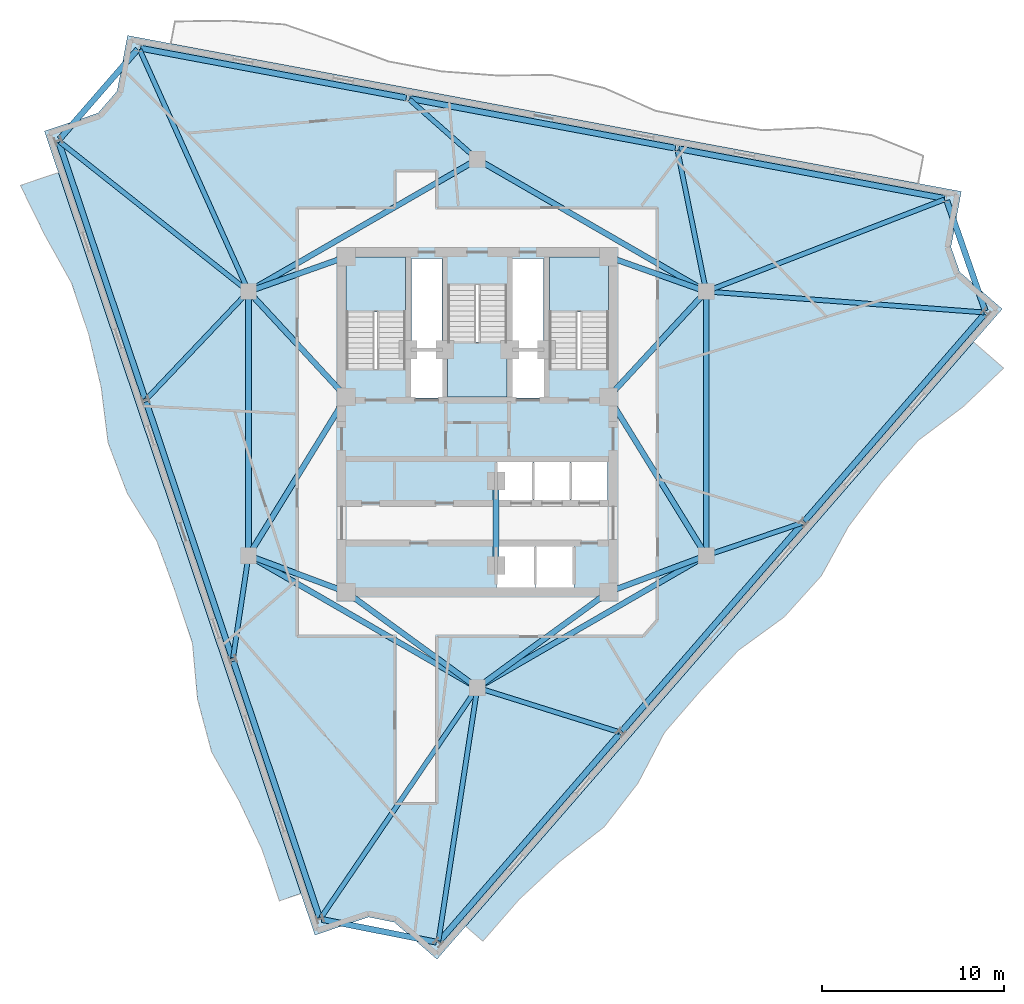
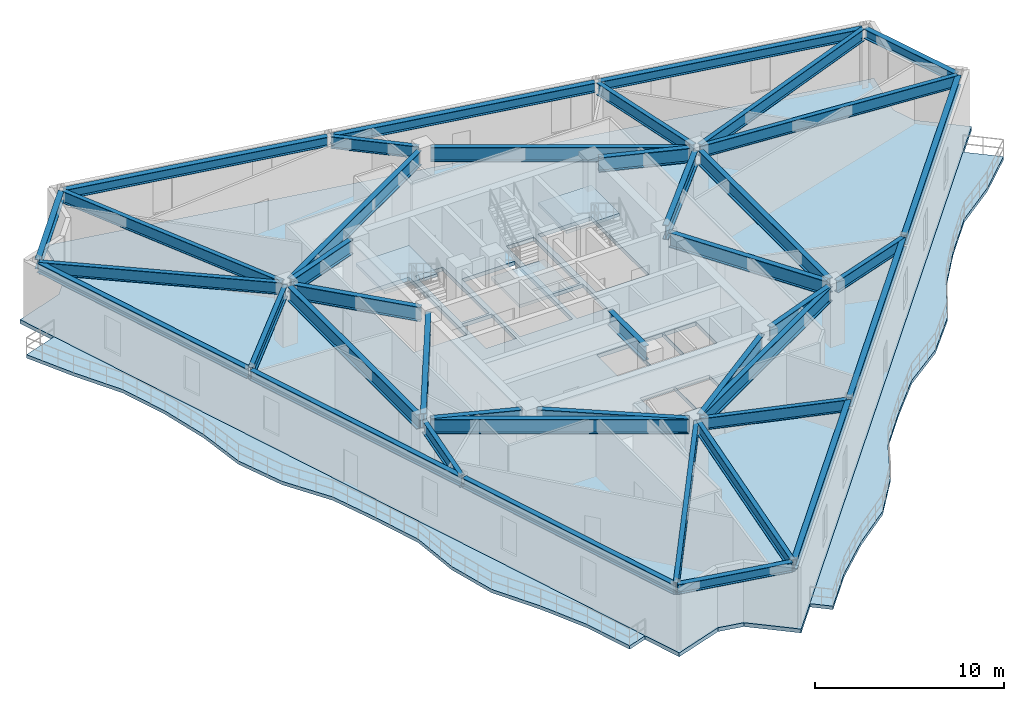
# One storey, part 3 of 11: 41 beams, 6 slabs, 3 elements without a shape of their own.
"""IFC4 building model written with IfcOpenShell, lengths in metres."""

from ifc_helpers import new_model, si_unit, direction, frame, origin, origin_2d, place, context, subcontext, project, spatial, polyline, i_section, outline, extrude, material, layer, layer_set, material_profile, profile_set, type_object, element, aggregate, save


model = new_model("IFC4")

# Units and contexts
model_context = context("Model", 3, precision=1e-05, world=origin(), true_north=direction((0.0, 1.0)))
body_context = subcontext(model_context, "Body", "Model", "MODEL_VIEW")
ifc_project = project(units=[si_unit("LENGTHUNIT", "METRE"), si_unit("AREAUNIT", "SQUARE_METRE"), si_unit("VOLUMEUNIT", "CUBIC_METRE"), si_unit("PLANEANGLEUNIT", "RADIAN"), si_unit("MASSUNIT", "GRAM", prefix="KILO")], contexts=[model_context])

# Site, building, storey
site_placement = place(None, origin())
site = spatial("IfcSite", under=ifc_project, at=site_placement, CompositionType="ELEMENT")
building_placement = place(site_placement, origin())
building = spatial("IfcBuilding", under=site, at=building_placement, Name="Apsidion Concourse Tower", CompositionType="ELEMENT")
storey_placement = place(building_placement, frame((0.0, 0.0, 281.89990234375)))
storey = spatial("IfcBuildingStorey", under=building, at=storey_placement, Name="L66", CompositionType="ELEMENT", Elevation=281.89990234375)

# Beams
ifc_material_1 = material(Name="Structural steel ASTM A992 Grade 50", Category="steel")
ifc_material_profile_1 = material_profile(ifc_material_1, i_section(OverallWidth=0.31005859375, OverallDepth=0.931884765625, WebThickness=0.02099609375, FlangeThickness=0.034423828125, at=origin_2d()), Name="W36X210")
ifc_profile_set_1 = profile_set([ifc_material_profile_1], Name="Structural steel ASTM A992 Grade 50")
beam_type_1 = type_object("IfcBeamType", Name="BM-G-W36", PredefinedType="USERDEFINED", material=ifc_profile_set_1)
beam_1_placement = place(storey_placement, frame((-12.185302734375, -7.389892578125, 3.384033203125), z_axis=(0.936913021145, -0.349562570664, 0.0), x_axis=(0.349562570664, 0.936913021145, 0.0)))
element("IfcBeam", 1, at=beam_1_placement, inside=storey, type_object=beam_type_1, Name="L66 Core Coupling Girder IC1-SC1", ObjectType="GIRDER", PredefinedType="USERDEFINED", context=body_context, shape_type="SweptSolid", body=[
    extrude(i_section(OverallWidth=0.31005859375, OverallDepth=0.931884765625, WebThickness=0.02099609375, FlangeThickness=0.034423828125, at=origin_2d()), origin(), (0.0, 0.0, 1.0), 4.921142578125),
])
beam_2_placement = place(storey_placement, frame((-12.35009765625, -6.909423828125, 3.384033203125), z_axis=(0.524524009763, 0.851395656074, 0.0), x_axis=(-0.851395656074, 0.524524009763, 0.0)))
element("IfcBeam", 2, at=beam_2_placement, inside=storey, type_object=beam_type_1, Name="L66 Core Coupling Girder IC1-SC6", ObjectType="GIRDER", PredefinedType="USERDEFINED", context=body_context, shape_type="SweptSolid", body=[
    extrude(i_section(OverallWidth=0.31005859375, OverallDepth=0.931884765625, WebThickness=0.02099609375, FlangeThickness=0.034423828125, at=origin_2d()), origin(), (0.0, 0.0, 1.0), 9.41845703125),
])
beam_3_placement = place(storey_placement, frame((12.185302734375, -7.389892578125, 3.384033203125), z_axis=(-0.936913021145, -0.349562570664, 0.0), x_axis=(0.349562570664, -0.936913021145, 0.0)))
element("IfcBeam", 3, at=beam_3_placement, inside=storey, type_object=beam_type_1, Name="L66 Core Coupling Girder IC2-SC2", ObjectType="GIRDER", PredefinedType="USERDEFINED", context=body_context, shape_type="SweptSolid", body=[
    extrude(i_section(OverallWidth=0.31005859375, OverallDepth=0.931884765625, WebThickness=0.02099609375, FlangeThickness=0.034423828125, at=origin_2d()), origin(), (0.0, 0.0, 1.0), 4.921142578125),
])
beam_4_placement = place(storey_placement, frame((12.35009765625, -6.909423828125, 3.384033203125), z_axis=(-0.524524009763, 0.851395656074, 0.0), x_axis=(-0.851395656074, -0.524524009763, 0.0)))
element("IfcBeam", 4, at=beam_4_placement, inside=storey, type_object=beam_type_1, Name="L66 Core Coupling Girder IC2-SC3", ObjectType="GIRDER", PredefinedType="USERDEFINED", context=body_context, shape_type="SweptSolid", body=[
    extrude(i_section(OverallWidth=0.31005859375, OverallDepth=0.931884765625, WebThickness=0.02099609375, FlangeThickness=0.034423828125, at=origin_2d()), origin(), (0.0, 0.0, 1.0), 9.41845703125),
])
beam_5_placement = place(storey_placement, frame((12.28857421875, 6.956298828125, 3.384033203125), z_axis=(-0.678712876106, -0.73440372535, 0.0), x_axis=(0.73440372535, -0.678712876106, 0.0)))
element("IfcBeam", 5, at=beam_5_placement, inside=storey, type_object=beam_type_1, Name="L66 Core Coupling Girder IC3-SC3", ObjectType="GIRDER", PredefinedType="USERDEFINED", context=body_context, shape_type="SweptSolid", body=[
    extrude(i_section(OverallWidth=0.31005859375, OverallDepth=0.931884765625, WebThickness=0.02099609375, FlangeThickness=0.034423828125, at=origin_2d()), origin(), (0.0, 0.0, 1.0), 7.097412109375),
])
beam_6_placement = place(storey_placement, frame((12.18310546875, 7.383544921875, 3.384033203125), z_axis=(-0.942533844539, 0.334110688094, 0.0), x_axis=(-0.334110688094, -0.942533844539, 0.0)))
element("IfcBeam", 6, at=beam_6_placement, inside=storey, type_object=beam_type_1, Name="L66 Core Coupling Girder IC3-SC4", ObjectType="GIRDER", PredefinedType="USERDEFINED", context=body_context, shape_type="SweptSolid", body=[
    extrude(i_section(OverallWidth=0.31005859375, OverallDepth=0.931884765625, WebThickness=0.02099609375, FlangeThickness=0.034423828125, at=origin_2d()), origin(), (0.0, 0.0, 1.0), 4.886962890625),
])
beam_7_placement = place(storey_placement, frame((-12.28857421875, 6.956298828125, 3.384033203125), z_axis=(0.678712876106, -0.73440372535, 0.0), x_axis=(0.73440372535, 0.678712876106, 0.0)))
element("IfcBeam", 7, at=beam_7_placement, inside=storey, type_object=beam_type_1, Name="L66 Core Coupling Girder IC5-SC6", ObjectType="GIRDER", PredefinedType="USERDEFINED", context=body_context, shape_type="SweptSolid", body=[
    extrude(i_section(OverallWidth=0.31005859375, OverallDepth=0.931884765625, WebThickness=0.02099609375, FlangeThickness=0.034423828125, at=origin_2d()), origin(), (0.0, 0.0, 1.0), 7.097412109375),
])
beam_8_placement = place(storey_placement, frame((-12.18310546875, 7.383544921875, 3.384033203125), z_axis=(0.942533844539, 0.334110688094, 0.0), x_axis=(-0.334110688094, 0.942533844539, 0.0)))
element("IfcBeam", 8, at=beam_8_placement, inside=storey, type_object=beam_type_1, Name="L66 Core Coupling Girder IC5-SC5", ObjectType="GIRDER", PredefinedType="USERDEFINED", context=body_context, shape_type="SweptSolid", body=[
    extrude(i_section(OverallWidth=0.31005859375, OverallDepth=0.931884765625, WebThickness=0.02099609375, FlangeThickness=0.034423828125, at=origin_2d()), origin(), (0.0, 0.0, 1.0), 4.886962890625),
])
for number, where, z_axis, x_axis, name in (
    (9, (-0.3232421875, -14.264404296875, 3.384033203125), (-0.807993498909, 0.589191399905, 0.0), (-0.589191399905, -0.807993498909, 0.0), "L66 Core Coupling Girder IC6-SC1"),
    (10, (0.3232421875, -14.264404296875, 3.384033203125), (0.807993498909, 0.589191399905, 0.0), (-0.589191399905, 0.807993498909, 0.0), "L66 Core Coupling Girder IC6-SC2"),
):
    element("IfcBeam", number, at=place(storey_placement, frame(where, z_axis=z_axis, x_axis=x_axis)), inside=storey, type_object=beam_type_1, Name=name, ObjectType="GIRDER", PredefinedType="USERDEFINED", context=body_context, shape_type="SweptSolid", body=[
        extrude(i_section(OverallWidth=0.31005859375, OverallDepth=0.931884765625, WebThickness=0.02099609375, FlangeThickness=0.034423828125, at=origin_2d()), origin(), (0.0, 0.0, 1.0), 8.11083984375),
    ])
beam_9_placement = place(storey_placement, frame((-12.56005859375, -6.85009765625, 3.384033203125), z_axis=(0.0, 1.0, 0.0), x_axis=(-1.0, 0.0, 0.0)))
element("IfcBeam", 11, at=beam_9_placement, inside=storey, type_object=beam_type_1, Name="L66 Core Coupling Girder IC1-IC5", ObjectType="GIRDER", PredefinedType="USERDEFINED", context=body_context, shape_type="SweptSolid", body=[
    extrude(i_section(OverallWidth=0.31005859375, OverallDepth=0.931884765625, WebThickness=0.02099609375, FlangeThickness=0.034423828125, at=origin_2d()), origin(), (0.0, 0.0, 1.0), 13.7001953125),
])
for number, where, z_axis, x_axis, name in (
    (12, (-12.213623046875, 7.449951171875, 3.384033203125), (0.866070471464, 0.499921932364, 0.0), (-0.499921932364, 0.866070471464, 0.0), "L66 Core Coupling Girder IC5-IC4"),
    (13, (0.346435546875, 14.300048828125, 3.384033203125), (0.866070471464, -0.499921932364, 0.0), (0.499921932364, 0.866070471464, 0.0), "L66 Core Coupling Girder IC4-IC3"),
):
    element("IfcBeam", number, at=place(storey_placement, frame(where, z_axis=z_axis, x_axis=x_axis)), inside=storey, type_object=beam_type_1, Name=name, ObjectType="GIRDER", PredefinedType="USERDEFINED", context=body_context, shape_type="SweptSolid", body=[
        extrude(i_section(OverallWidth=0.31005859375, OverallDepth=0.931884765625, WebThickness=0.02099609375, FlangeThickness=0.034423828125, at=origin_2d()), origin(), (0.0, 0.0, 1.0), 13.702392578125),
    ])
beam_10_placement = place(storey_placement, frame((12.56005859375, 6.85009765625, 3.384033203125), z_axis=(0.0, -1.0, 0.0), x_axis=(1.0, 0.0, 0.0)))
element("IfcBeam", 14, at=beam_10_placement, inside=storey, type_object=beam_type_1, Name="L66 Core Coupling Girder IC3-IC2", ObjectType="GIRDER", PredefinedType="USERDEFINED", context=body_context, shape_type="SweptSolid", body=[
    extrude(i_section(OverallWidth=0.31005859375, OverallDepth=0.931884765625, WebThickness=0.02099609375, FlangeThickness=0.034423828125, at=origin_2d()), origin(), (0.0, 0.0, 1.0), 13.7001953125),
])
for number, where, z_axis, x_axis, name in (
    (15, (12.213623046875, -7.449951171875, 3.384033203125), (-0.866070471464, -0.499921932364, 0.0), (0.499921932364, -0.866070471464, 0.0), "L66 Core Coupling Girder IC2-IC6"),
    (16, (-0.346435546875, -14.300048828125, 3.384033203125), (-0.866070471464, 0.499921932364, 0.0), (-0.499921932364, -0.866070471464, 0.0), "L66 Core Coupling Girder IC6-IC1"),
):
    element("IfcBeam", number, at=place(storey_placement, frame(where, z_axis=z_axis, x_axis=x_axis)), inside=storey, type_object=beam_type_1, Name=name, ObjectType="GIRDER", PredefinedType="USERDEFINED", context=body_context, shape_type="SweptSolid", body=[
        extrude(i_section(OverallWidth=0.31005859375, OverallDepth=0.931884765625, WebThickness=0.02099609375, FlangeThickness=0.034423828125, at=origin_2d()), origin(), (0.0, 0.0, 1.0), 13.702392578125),
    ])
beam_11_placement = place(storey_placement, frame((1.02490234375, -3.550048828125, 3.384033203125), z_axis=(0.0, -1.0, 0.0), x_axis=(1.0, 0.0, 0.0)))
element("IfcBeam", 17, at=beam_11_placement, inside=storey, type_object=beam_type_1, Name="L66 Core Coupling Girder CC5-CC6", ObjectType="GIRDER", PredefinedType="USERDEFINED", context=body_context, shape_type="SweptSolid", body=[
    extrude(i_section(OverallWidth=0.31005859375, OverallDepth=0.931884765625, WebThickness=0.02099609375, FlangeThickness=0.034423828125, at=origin_2d()), origin(), (0.0, 0.0, 1.0), 3.849853515625),
])
ifc_material_profile_2 = material_profile(ifc_material_1, i_section(OverallWidth=0.324951171875, OverallDepth=0.616943359375, WebThickness=0.013916015625, FlangeThickness=0.021484375, at=origin_2d()), Name="W24X117")
ifc_profile_set_2 = profile_set([ifc_material_profile_2], Name="Structural steel ASTM A992 Grade 50")
beam_type_2 = type_object("IfcBeamType", Name="BM-SP-W24", PredefinedType="SPANDREL", material=ifc_profile_set_2)
for number, where, z_axis, x_axis, name in (
    (18, (-22.97265625, 15.436279296875, 3.54150390625), (0.318681523158, -0.947861850059, 0.0), (0.947861850059, 0.318681523158, 0.0), "L66 Perimeter Spandrel Girder SP-01"),
    (19, (-18.18310546875, 1.191162109375, 3.54150390625), (0.318661757859, -0.94786849514, 0.0), (0.94786849514, 0.318661757859, 0.0), "L66 Perimeter Spandrel Girder SP-02"),
    (20, (-13.393798828125, -13.05419921875, 3.54150390625), (0.318681523158, -0.947861850059, 0.0), (0.947861850059, 0.318681523158, 0.0), "L66 Perimeter Spandrel Girder SP-03"),
):
    element("IfcBeam", number, at=place(storey_placement, frame(where, z_axis=z_axis, x_axis=x_axis)), inside=storey, type_object=beam_type_2, Name=name, PredefinedType="SPANDREL", context=body_context, shape_type="SweptSolid", body=[
        extrude(i_section(OverallWidth=0.324951171875, OverallDepth=0.616943359375, WebThickness=0.013916015625, FlangeThickness=0.021484375, at=origin_2d()), origin(), (0.0, 0.0, 1.0), 14.82861328125),
    ])
beam_12_placement = place(storey_placement, frame((-8.538330078125, -27.223876953125, 3.54150390625), z_axis=(0.980920203242, -0.194410788981, 0.0), x_axis=(0.194410788981, 0.980920203242, 0.0)))
element("IfcBeam", 21, at=beam_12_placement, inside=storey, type_object=beam_type_2, Name="L66 Perimeter Spandrel Girder SP-04", PredefinedType="SPANDREL", context=body_context, shape_type="SweptSolid", body=[
    extrude(i_section(OverallWidth=0.324951171875, OverallDepth=0.616943359375, WebThickness=0.013916015625, FlangeThickness=0.021484375, at=origin_2d()), origin(), (0.0, 0.0, 1.0), 6.415771484375),
])
beam_13_placement = place(storey_placement, frame((-2.081298828125, -28.4150390625, 3.54150390625), z_axis=(0.656066832384, 0.754702796766, 0.0), x_axis=(-0.754702796766, 0.656066832384, 0.0)))
element("IfcBeam", 22, at=beam_13_placement, inside=storey, type_object=beam_type_2, Name="L66 Perimeter Spandrel Girder SP-05", PredefinedType="SPANDREL", context=body_context, shape_type="SweptSolid", body=[
    extrude(i_section(OverallWidth=0.324951171875, OverallDepth=0.616943359375, WebThickness=0.013916015625, FlangeThickness=0.021484375, at=origin_2d()), origin(), (0.0, 0.0, 1.0), 15.07373046875),
])
for number, where, z_axis, x_axis, name in (
    (23, (7.939208984375, -16.8876953125, 3.54150390625), (0.656074851848, 0.754695825332, 0.0), (-0.754695825332, 0.656074851848, 0.0), "L66 Perimeter Spandrel Girder SP-06"),
    (24, (17.959716796875, -5.360595703125, 3.54150390625), (0.656065626683, 0.754703844885, 0.0), (-0.754703844885, 0.656065626683, 0.0), "L66 Perimeter Spandrel Girder SP-07"),
):
    element("IfcBeam", number, at=place(storey_placement, frame(where, z_axis=z_axis, x_axis=x_axis)), inside=storey, type_object=beam_type_2, Name=name, PredefinedType="SPANDREL", context=body_context, shape_type="SweptSolid", body=[
        extrude(i_section(OverallWidth=0.324951171875, OverallDepth=0.616943359375, WebThickness=0.013916015625, FlangeThickness=0.021484375, at=origin_2d()), origin(), (0.0, 0.0, 1.0), 15.073486328125),
    ])
beam_14_placement = place(storey_placement, frame((27.881591796875, 6.185302734375, 3.54150390625), z_axis=(-0.328995813691, 0.944331379641, 0.0), x_axis=(-0.944331379641, -0.328995813691, 0.0)))
element("IfcBeam", 25, at=beam_14_placement, inside=storey, type_object=beam_type_2, Name="L66 Perimeter Spandrel Girder SP-08", PredefinedType="SPANDREL", context=body_context, shape_type="SweptSolid", body=[
    extrude(i_section(OverallWidth=0.324951171875, OverallDepth=0.616943359375, WebThickness=0.013916015625, FlangeThickness=0.021484375, at=origin_2d()), origin(), (0.0, 0.0, 1.0), 6.416015625),
])
beam_15_placement = place(storey_placement, frame((25.639404296875, 12.35693359375, 3.54150390625), z_axis=(-0.982990339522, 0.183657268861, 0.0), x_axis=(-0.183657268861, -0.982990339522, 0.0)))
element("IfcBeam", 26, at=beam_15_placement, inside=storey, type_object=beam_type_2, Name="L66 Perimeter Spandrel Girder SP-09", PredefinedType="SPANDREL", context=body_context, shape_type="SweptSolid", body=[
    extrude(i_section(OverallWidth=0.324951171875, OverallDepth=0.616943359375, WebThickness=0.013916015625, FlangeThickness=0.021484375, at=origin_2d()), origin(), (0.0, 0.0, 1.0), 14.82861328125),
])
for number, where, z_axis, x_axis, name in (
    (27, (10.866455078125, 15.1171875, 3.54150390625), (-0.982990894844, 0.183654296586, 0.0), (-0.183654296586, -0.982990894844, 0.0), "L66 Perimeter Spandrel Girder SP-10"),
    (28, (-3.90673828125, 17.877197265625, 3.54150390625), (-0.982990894844, 0.183654296586, 0.0), (-0.183654296586, -0.982990894844, 0.0), "L66 Perimeter Spandrel Girder SP-11"),
):
    element("IfcBeam", number, at=place(storey_placement, frame(where, z_axis=z_axis, x_axis=x_axis)), inside=storey, type_object=beam_type_2, Name=name, PredefinedType="SPANDREL", context=body_context, shape_type="SweptSolid", body=[
        extrude(i_section(OverallWidth=0.324951171875, OverallDepth=0.616943359375, WebThickness=0.013916015625, FlangeThickness=0.021484375, at=origin_2d()), origin(), (0.0, 0.0, 1.0), 14.828857421875),
    ])
beam_16_placement = place(storey_placement, frame((-18.647216796875, 20.543701171875, 3.54150390625), z_axis=(-0.656065057343, -0.754704339814, 0.0), x_axis=(0.754704339814, -0.656065057343, 0.0)))
element("IfcBeam", 29, at=beam_16_placement, inside=storey, type_object=beam_type_2, Name="L66 Perimeter Spandrel Girder SP-12", PredefinedType="SPANDREL", context=body_context, shape_type="SweptSolid", body=[
    extrude(i_section(OverallWidth=0.324951171875, OverallDepth=0.616943359375, WebThickness=0.013916015625, FlangeThickness=0.021484375, at=origin_2d()), origin(), (0.0, 0.0, 1.0), 6.541748046875),
])
ifc_material_profile_3 = material_profile(ifc_material_1, i_section(OverallWidth=0.26806640625, OverallDepth=0.77001953125, WebThickness=0.015625, FlangeThickness=0.025390625, at=origin_2d()), Name="W30X132")
ifc_profile_set_3 = profile_set([ifc_material_profile_3], Name="Structural steel ASTM A992 Grade 50")
beam_type_3 = type_object("IfcBeamType", Name="BM-SP-W30", PredefinedType="SPANDREL", material=ifc_profile_set_3)
beam_17_placement = place(storey_placement, frame((-12.732421875, 7.38671875, 3.465087890625), z_axis=(-0.783584000329, 0.621285855648, 0.0), x_axis=(-0.621285855648, -0.783584000329, 0.0)))
element("IfcBeam", 30, at=beam_17_placement, inside=storey, type_object=beam_type_3, Name="L66 Radial Floor Girder RAD-01", PredefinedType="SPANDREL", context=body_context, shape_type="SweptSolid", body=[
    extrude(i_section(OverallWidth=0.26806640625, OverallDepth=0.77001953125, WebThickness=0.015625, FlangeThickness=0.025390625, at=origin_2d()), origin(), (0.0, 0.0, 1.0), 13.009033203125),
])
beam_18_placement = place(storey_placement, frame((-12.71142578125, 7.09033203125, 3.465087890625), z_axis=(-0.688064364837, -0.72564966054, 0.0), x_axis=(0.72564966054, -0.688064364837, 0.0)))
element("IfcBeam", 31, at=beam_18_placement, inside=storey, type_object=beam_type_3, Name="L66 Radial Floor Girder RAD-02", PredefinedType="SPANDREL", context=body_context, shape_type="SweptSolid", body=[
    extrude(i_section(OverallWidth=0.26806640625, OverallDepth=0.77001953125, WebThickness=0.015625, FlangeThickness=0.025390625, at=origin_2d()), origin(), (0.0, 0.0, 1.0), 7.898681640625),
])
beam_19_placement = place(storey_placement, frame((-12.593017578125, -7.467529296875, 3.465087890625), z_axis=(-0.149944598724, -0.988694400365, 0.0), x_axis=(0.988694400365, -0.149944598724, 0.0)))
element("IfcBeam", 32, at=beam_19_placement, inside=storey, type_object=beam_type_3, Name="L66 Radial Floor Girder RAD-03", PredefinedType="SPANDREL", context=body_context, shape_type="SweptSolid", body=[
    extrude(i_section(OverallWidth=0.26806640625, OverallDepth=0.77001953125, WebThickness=0.015625, FlangeThickness=0.025390625, at=origin_2d()), origin(), (0.0, 0.0, 1.0), 5.45458984375),
])
beam_20_placement = place(storey_placement, frame((-0.123779296875, -14.681884765625, 3.465087890625), z_axis=(-0.56217993865, -0.827014943383, 0.0), x_axis=(0.827014943383, -0.56217993865, 0.0)))
element("IfcBeam", 33, at=beam_20_placement, inside=storey, type_object=beam_type_3, Name="L66 Radial Floor Girder RAD-04", PredefinedType="SPANDREL", context=body_context, shape_type="SweptSolid", body=[
    extrude(i_section(OverallWidth=0.26806640625, OverallDepth=0.77001953125, WebThickness=0.015625, FlangeThickness=0.025390625, at=origin_2d()), origin(), (0.0, 0.0, 1.0), 15.0419921875),
])
beam_21_placement = place(storey_placement, frame((-0.033447265625, -14.717529296875, 3.465087890625), z_axis=(-0.151664637663, -0.988432009641, 0.0), x_axis=(0.988432009641, -0.151664637663, 0.0)))
element("IfcBeam", 34, at=beam_21_placement, inside=storey, type_object=beam_type_3, Name="L66 Radial Floor Girder RAD-05", PredefinedType="SPANDREL", context=body_context, shape_type="SweptSolid", body=[
    extrude(i_section(OverallWidth=0.26806640625, OverallDepth=0.77001953125, WebThickness=0.015625, FlangeThickness=0.025390625, at=origin_2d()), origin(), (0.0, 0.0, 1.0), 13.833984375),
])
beam_22_placement = place(storey_placement, frame((0.2099609375, -14.565673828125, 3.465087890625), z_axis=(0.954387901166, -0.298569479532, 0.0), x_axis=(0.298569479532, 0.954387901166, 0.0)))
element("IfcBeam", 35, at=beam_22_placement, inside=storey, type_object=beam_type_3, Name="L66 Radial Floor Girder RAD-06", PredefinedType="SPANDREL", context=body_context, shape_type="SweptSolid", body=[
    extrude(i_section(OverallWidth=0.26806640625, OverallDepth=0.77001953125, WebThickness=0.015625, FlangeThickness=0.025390625, at=origin_2d()), origin(), (0.0, 0.0, 1.0), 7.93017578125),
])
beam_23_placement = place(storey_placement, frame((12.768310546875, -7.17919921875, 3.465087890625), z_axis=(0.946764063089, 0.321928266612, 0.0), x_axis=(-0.321928266612, 0.946764063089, 0.0)))
element("IfcBeam", 36, at=beam_23_placement, inside=storey, type_object=beam_type_3, Name="L66 Radial Floor Girder RAD-07", PredefinedType="SPANDREL", context=body_context, shape_type="SweptSolid", body=[
    extrude(i_section(OverallWidth=0.26806640625, OverallDepth=0.77001953125, WebThickness=0.015625, FlangeThickness=0.025390625, at=origin_2d()), origin(), (0.0, 0.0, 1.0), 5.31396484375),
])
beam_24_placement = place(storey_placement, frame((12.779296875, 7.2333984375, 3.465087890625), z_axis=(0.997162813541, -0.075274984495, 0.0), x_axis=(0.075274984495, 0.997162813541, 0.0)))
element("IfcBeam", 37, at=beam_24_placement, inside=storey, type_object=beam_type_3, Name="L66 Radial Floor Girder RAD-08", PredefinedType="SPANDREL", context=body_context, shape_type="SweptSolid", body=[
    extrude(i_section(OverallWidth=0.26806640625, OverallDepth=0.77001953125, WebThickness=0.015625, FlangeThickness=0.025390625, at=origin_2d()), origin(), (0.0, 0.0, 1.0), 15.078125),
])
beam_25_placement = place(storey_placement, frame((12.76513671875, 7.3291015625, 3.465087890625), z_axis=(0.932864861943, 0.360226525053, 0.0), x_axis=(-0.360226525053, 0.932864861943, 0.0)))
element("IfcBeam", 38, at=beam_25_placement, inside=storey, type_object=beam_type_3, Name="L66 Radial Floor Girder RAD-09", PredefinedType="SPANDREL", context=body_context, shape_type="SweptSolid", body=[
    extrude(i_section(OverallWidth=0.26806640625, OverallDepth=0.77001953125, WebThickness=0.015625, FlangeThickness=0.025390625, at=origin_2d()), origin(), (0.0, 0.0, 1.0), 13.806396484375),
])
beam_26_placement = place(storey_placement, frame((12.51611328125, 7.465576171875, 3.465087890625), z_axis=(-0.199174271345, 0.97996408589, 0.0), x_axis=(-0.97996408589, -0.199174271345, 0.0)))
element("IfcBeam", 39, at=beam_26_placement, inside=storey, type_object=beam_type_3, Name="L66 Radial Floor Girder RAD-10", PredefinedType="SPANDREL", context=body_context, shape_type="SweptSolid", body=[
    extrude(i_section(OverallWidth=0.26806640625, OverallDepth=0.77001953125, WebThickness=0.015625, FlangeThickness=0.025390625, at=origin_2d()), origin(), (0.0, 0.0, 1.0), 7.689208984375),
])
beam_27_placement = place(storey_placement, frame((-0.1650390625, 14.6455078125, 3.465087890625), z_axis=(-0.749977100091, 0.661463792917, 0.0), x_axis=(-0.661463792917, -0.749977100091, 0.0)))
element("IfcBeam", 40, at=beam_27_placement, inside=storey, type_object=beam_type_3, Name="L66 Radial Floor Girder RAD-11", PredefinedType="SPANDREL", context=body_context, shape_type="SweptSolid", body=[
    extrude(i_section(OverallWidth=0.26806640625, OverallDepth=0.77001953125, WebThickness=0.015625, FlangeThickness=0.025390625, at=origin_2d()), origin(), (0.0, 0.0, 1.0), 4.758056640625),
])
beam_28_placement = place(storey_placement, frame((-12.650390625, 7.45068359375, 3.465087890625), z_axis=(-0.410678909967, 0.911780035375, 0.0), x_axis=(-0.911780035375, -0.410678909967, 0.0)))
element("IfcBeam", 41, at=beam_28_placement, inside=storey, type_object=beam_type_3, Name="L66 Radial Floor Girder RAD-12", PredefinedType="SPANDREL", context=body_context, shape_type="SweptSolid", body=[
    extrude(i_section(OverallWidth=0.26806640625, OverallDepth=0.77001953125, WebThickness=0.015625, FlangeThickness=0.025390625, at=origin_2d()), origin(), (0.0, 0.0, 1.0), 14.342529296875),
])

# Slabs
ifc_material_2 = material(Name="Concrete C50/60", Category="concrete")
ifc_layer_1 = layer(ifc_material_2, 0.219970703125)
ifc_layer_set_1 = layer_set([ifc_layer_1], Name="Concrete C50/60")
slab_type_1 = type_object("IfcSlabType", Name="SL-BAL-220", PredefinedType="FLOOR", material=ifc_layer_set_1)
slab_1_placement = place(storey_placement, frame((0.0, 0.0, -0.219970703125)))
element("IfcSlab", 42, at=slab_1_placement, inside=storey, type_object=slab_type_1, Name="L66 Face 1 Rippling Balcony Slab", PredefinedType="FLOOR", context=body_context, shape_type="SweptSolid", body=[
    extrude(outline(polyline([(-22.99951171875, 13.775390625), (-22.048095703125, 10.947998046875), (-21.096923828125, 8.12060546875), (-20.1455078125, 5.29345703125), (-19.1943359375, 2.466064453125), (-18.242919921875, -0.361083984375), (-17.291748046875, -3.1884765625), (-16.340576171875, -6.015869140625), (-15.38916015625, -8.843017578125), (-14.43798828125, -11.67041015625), (-13.486572265625, -14.49755859375), (-12.535400390625, -17.324951171875), (-11.583984375, -20.152099609375), (-10.6328125, -22.9794921875), (-9.681396484375, -25.806884765625), (-10.8662109375, -26.205322265625), (-11.8173828125, -23.378173828125), (-13.102294921875, -20.6630859375), (-14.58935546875, -18.01611328125), (-15.361328125, -15.12841796875), (-15.637451171875, -12.073974609375), (-16.573974609375, -9.24169921875), (-17.6005859375, -6.439697265625), (-19.21337890625, -3.835205078125), (-20.273193359375, -1.044189453125), (-20.64697265625, 1.977294921875), (-21.330322265625, 4.894775390625), (-22.281494140625, 7.72216796875), (-23.7568359375, 10.373046875), (-25.084716796875, 13.07373046875), (-22.99951171875, 13.775390625)])), origin(), (0.0, 0.0, 1.0), 0.219970703125),
])
slab_2_placement = place(storey_placement, frame((0.0, 0.0, -0.219970703125)))
element("IfcSlab", 43, at=slab_2_placement, inside=storey, type_object=slab_type_1, Name="L66 Face 2 Rippling Balcony Slab", PredefinedType="FLOOR", context=body_context, shape_type="SweptSolid", body=[
    extrude(outline(polyline([(-0.6416015625, -27.59716796875), (1.35009765625, -25.30615234375), (3.341552734375, -23.01513671875), (5.3330078125, -20.724365234375), (7.324462890625, -18.433349609375), (9.31591796875, -16.142333984375), (11.307373046875, -13.8515625), (13.298828125, -11.560546875), (15.290283203125, -9.26953125), (17.281982421875, -6.978759765625), (19.273193359375, -4.687744140625), (21.264892578125, -2.396728515625), (23.25634765625, -0.10595703125), (25.247802734375, 2.18505859375), (27.2392578125, 4.47607421875), (28.890380859375, 3.040771484375), (26.68408203125, 0.9365234375), (24.19970703125, -0.92578125), (22.208251953125, -3.216796875), (20.375, -5.645263671875), (18.877685546875, -8.365966796875), (16.843505859375, -10.61962890625), (14.325927734375, -12.453369140625), (12.250732421875, -14.671630859375), (10.266845703125, -16.968994140625), (8.8212890625, -19.734619140625), (6.96337890625, -22.1416015625), (4.52490234375, -24.0439453125), (2.29345703125, -26.126220703125), (0.302001953125, -28.417236328125), (-0.6416015625, -27.59716796875)])), origin(), (0.0, 0.0, 1.0), 0.219970703125),
])
ifc_layer_2 = layer(ifc_material_2, 0.25)
ifc_layer_set_2 = layer_set([ifc_layer_2], Name="Concrete C50/60")
slab_type_2 = type_object("IfcSlabType", Name="SL-FLR-250", PredefinedType="FLOOR", material=ifc_layer_set_2)
slab_3_placement = place(storey_placement, frame((0.0, 0.0, -0.25)))
element("IfcSlab", 44, at=slab_3_placement, inside=storey, type_object=slab_type_2, Name="L66 Structural Floor Slab", PredefinedType="FLOOR", context=body_context, shape_type="SweptSolid", body=[
    extrude(outline(polyline([(-19.201416015625, 21.2998046875), (-19.771484375, 18.251220703125), (-20.825439453125, 17.0390625), (-23.764892578125, 16.050048828125), (-8.916015625, -28.08154296875), (-5.976806640625, -27.092529296875), (-4.556640625, -27.373779296875), (-2.216064453125, -29.408447265625), (28.813720703125, 6.287353515625), (26.47314453125, 8.322021484375), (25.9970703125, 9.689208984375), (26.5673828125, 12.737548828125), (-19.201416015625, 21.2998046875)]), holes=[polyline([(-3.949951171875, 3.0), (-3.949951171875, 9.14990234375), (-7.199951171875, 9.14990234375), (-7.199951171875, 3.0), (-3.949951171875, 3.0)]), polyline([(7.199951171875, 3.0), (7.199951171875, 9.14990234375), (3.949951171875, 9.14990234375), (3.949951171875, 3.0), (7.199951171875, 3.0)]), polyline([(-1.625, 7.60009765625), (-1.625, 1.449951171875), (1.625, 1.449951171875), (1.625, 7.60009765625), (-1.625, 7.60009765625)]), polyline([(1.054931640625, -4.300048828125), (3.044921875, -4.300048828125), (3.044921875, -2.050048828125), (1.054931640625, -2.050048828125), (1.054931640625, -4.300048828125)]), polyline([(3.10498046875, -4.300048828125), (5.094970703125, -4.300048828125), (5.094970703125, -2.050048828125), (3.10498046875, -2.050048828125), (3.10498046875, -4.300048828125)]), polyline([(5.155029296875, -4.300048828125), (7.14501953125, -4.300048828125), (7.14501953125, -2.050048828125), (5.155029296875, -2.050048828125), (5.155029296875, -4.300048828125)]), polyline([(1.044921875, -9.0), (3.155029296875, -9.0), (3.155029296875, -6.64990234375), (1.044921875, -6.64990234375), (1.044921875, -9.0)]), polyline([(3.195068359375, -9.0), (5.304931640625, -9.0), (5.304931640625, -6.64990234375), (3.195068359375, -6.64990234375), (3.195068359375, -9.0)]), polyline([(-3.7099609375, 1.39990234375), (-1.85009765625, 1.39990234375), (-1.85009765625, 4.0), (-3.7099609375, 4.0), (-3.7099609375, 1.39990234375)]), polyline([(1.85009765625, 1.39990234375), (3.7099609375, 1.39990234375), (3.7099609375, 4.0), (1.85009765625, 4.0), (1.85009765625, 1.39990234375)]), polyline([(-3.6201171875, 4.14990234375), (-1.93994140625, 4.14990234375), (-1.93994140625, 9.050048828125), (-3.6201171875, 9.050048828125), (-3.6201171875, 4.14990234375)]), polyline([(1.93994140625, 4.14990234375), (3.6201171875, 4.14990234375), (3.6201171875, 9.050048828125), (1.93994140625, 9.050048828125), (1.93994140625, 4.14990234375)])]), origin(), (0.0, 0.0, 1.0), 0.25),
])

# Stair, slab
ifc_material_3 = material(Name="Precast concrete C40/50", Category="concrete")
stair_type = type_object("IfcStairType", Name="ST-DL-1550", PredefinedType="HALF_TURN_STAIR", material=ifc_material_3)
stair_1_placement = place(storey_placement, origin())
stair_1 = element("IfcStair", 45, at=stair_1_placement, inside=storey, type_object=stair_type, Name="L66 Protected Core Exit Stair ST1", PredefinedType="HALF_TURN_STAIR")
ifc_layer_3 = layer(ifc_material_2, 0.199951171875)
ifc_layer_set_3 = layer_set([ifc_layer_3], Name="Concrete C50/60")
slab_type_3 = type_object("IfcSlabType", Name="SL-ST-LAND-200", PredefinedType="LANDING", material=ifc_layer_set_3)
slab_4_placement = place(storey_placement, frame((0.0, 0.0, 1.85009765625)))
slab_4 = element("IfcSlab", 46, at=slab_4_placement, type_object=slab_type_3, Name="ST1 landing 1", PredefinedType="LANDING", context=body_context, shape_type="SweptSolid", body=[
    extrude(outline(polyline([(-3.949951171875, 6.135009765625), (-3.949951171875, 9.14990234375), (-7.199951171875, 9.14990234375), (-7.199951171875, 6.135009765625), (-3.949951171875, 6.135009765625)])), origin(), (0.0, 0.0, 1.0), 0.199951171875),
])
aggregate(stair_1, [slab_4])

stair_2_placement = place(storey_placement, origin())
stair_2 = element("IfcStair", 47, at=stair_2_placement, inside=storey, type_object=stair_type, Name="L66 Protected Core Exit Stair ST2", PredefinedType="HALF_TURN_STAIR")
slab_5_placement = place(storey_placement, frame((0.0, 0.0, 1.85009765625)))
slab_5 = element("IfcSlab", 48, at=slab_5_placement, type_object=slab_type_3, Name="ST2 landing 1", PredefinedType="LANDING", context=body_context, shape_type="SweptSolid", body=[
    extrude(outline(polyline([(7.199951171875, 6.135009765625), (7.199951171875, 9.14990234375), (3.949951171875, 9.14990234375), (3.949951171875, 6.135009765625), (7.199951171875, 6.135009765625)])), origin(), (0.0, 0.0, 1.0), 0.199951171875),
])
aggregate(stair_2, [slab_5])

stair_3_placement = place(storey_placement, origin())
stair_3 = element("IfcStair", 49, at=stair_3_placement, inside=storey, type_object=stair_type, Name="L66 Protected Core Exit Stair ST3", PredefinedType="HALF_TURN_STAIR")
slab_6_placement = place(storey_placement, frame((0.0, 0.0, 1.85009765625)))
slab_6 = element("IfcSlab", 50, at=slab_6_placement, type_object=slab_type_3, Name="ST3 landing 1", PredefinedType="LANDING", context=body_context, shape_type="SweptSolid", body=[
    extrude(outline(polyline([(-1.625, 4.465087890625), (-1.625, 1.449951171875), (1.625, 1.449951171875), (1.625, 4.465087890625), (-1.625, 4.465087890625)])), origin(), (0.0, 0.0, 1.0), 0.199951171875),
])
aggregate(stair_3, [slab_6])

save(model, "model.ifc")
